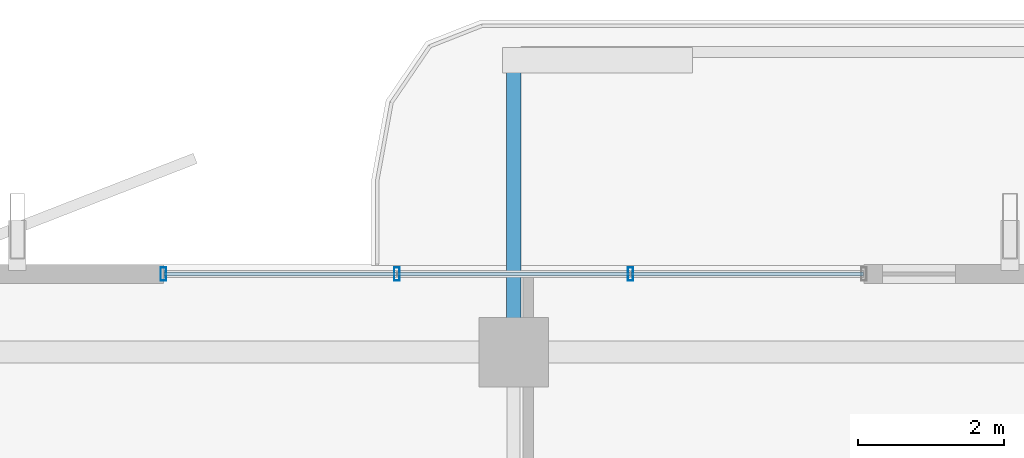
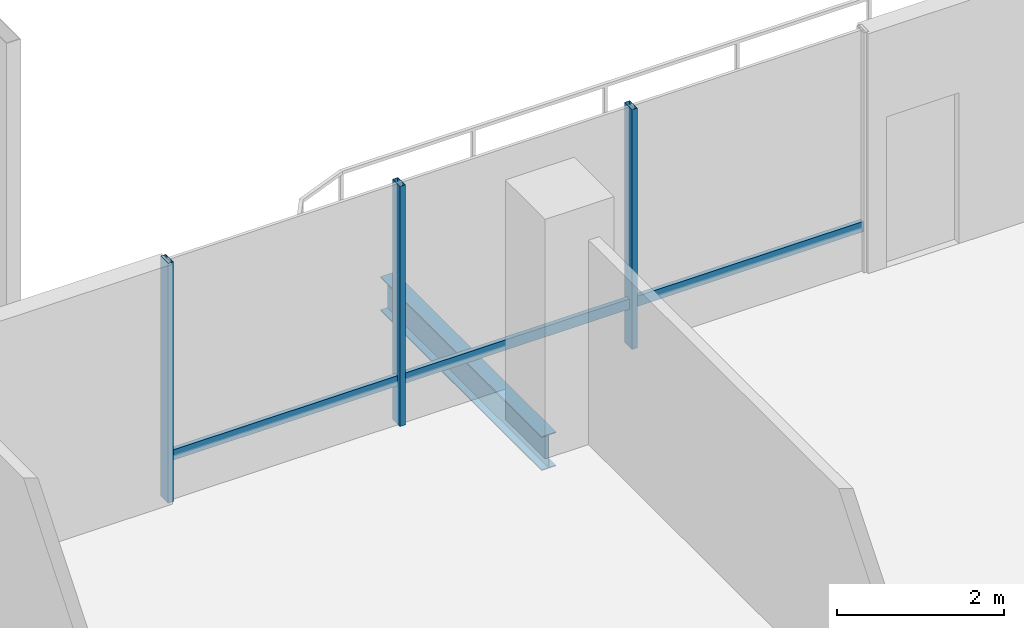
# One storey, part 13 of 25: 6 members, 1 beam, 1 element without a shape of its own.
"""IFC4 building model written with IfcOpenShell, lengths in metres."""

from ifc_helpers import new_model, si_unit, direction, frame, origin, origin_2d, place, context, subcontext, project, spatial, hollow_rectangle, i_section, extrude, material, layer, layer_set, material_profile, profile_set, type_object, element, aggregate, save


model = new_model("IFC4")

# Units and contexts
model_context = context("Model", 3, precision=1e-05, world=origin(), true_north=direction((0.0, 1.0)))
body_context = subcontext(model_context, "Body", "Model", "MODEL_VIEW")
ifc_project = project(units=[si_unit("LENGTHUNIT", "METRE"), si_unit("AREAUNIT", "SQUARE_METRE"), si_unit("VOLUMEUNIT", "CUBIC_METRE"), si_unit("PLANEANGLEUNIT", "RADIAN"), si_unit("MASSUNIT", "GRAM", prefix="KILO")], contexts=[model_context])

# Site, building, storey
site_placement = place(None, origin())
site = spatial("IfcSite", under=ifc_project, at=site_placement, CompositionType="ELEMENT")
building_placement = place(site_placement, origin())
building = spatial("IfcBuilding", under=site, at=building_placement, Name="Belovzor Exchange Tower", CompositionType="ELEMENT")
storey_placement = place(building_placement, frame((0.0, 0.0, 265.35009765625)))
storey = spatial("IfcBuildingStorey", under=building, at=storey_placement, Name="L66", CompositionType="ELEMENT", Elevation=265.35009765625)

# Beam
ifc_material_1 = material(Name="Steel S355", Category="steel")
ifc_material_profile_1 = material_profile(ifc_material_1, i_section(OverallWidth=0.199951171875, OverallDepth=0.5, WebThickness=0.01025390625, FlangeThickness=0.01611328125, at=origin_2d()))
ifc_profile_set_1 = profile_set([ifc_material_profile_1], Name="Steel S355")
beam_type = type_object("IfcBeamType", Name="Planted Balcony Cantilever Beam IPE 500", PredefinedType="BEAM", material=ifc_profile_set_1)
beam_placement = place(storey_placement, frame((28.800048828125, 52.760986328125, -0.5), z_axis=(0.0, 1.0, 0.0), x_axis=(-1.0, 0.0, 0.0)))
element("IfcBeam", 1, at=beam_placement, inside=storey, type_object=beam_type, Name="BC-500 Planted Balcony Cantilever Beam IPE 500", PredefinedType="BEAM", context=body_context, shape_type="SweptSolid", body=[
    extrude(i_section(OverallWidth=0.199951171875, OverallDepth=0.5, WebThickness=0.01025390625, FlangeThickness=0.01611328125, at=origin_2d()), origin(), (0.0, 0.0, 1.0), 3.85009765625),
])

# Curtain wall, members
ifc_material_2 = material(Name="Anodised Aluminium Framing", Category="aluminium")
ifc_layer = layer(ifc_material_2, 0.179931640625)
ifc_layer_set = layer_set([ifc_layer], Name="Anodised Aluminium Framing")
curtain_wall_type = type_object("IfcCurtainWallType", Name="Recessed Loggia Low-Iron Triple-Glazed Curtain Wall", PredefinedType="NOTDEFINED", material=ifc_layer_set)
curtain_wall_placement = place(storey_placement, origin())
curtain_wall = element("IfcCurtainWall", 2, at=curtain_wall_placement, inside=storey, type_object=curtain_wall_type, Name="CW3 Recessed Loggia Low-Iron Triple-Glazed Curtain Wall L66", PredefinedType="NOTDEFINED")
ifc_material_3 = material(Name="Steel S355", Category="steel")
ifc_material_profile_2 = material_profile(ifc_material_3, hollow_rectangle(XDim=0.074951171875, YDim=0.179931640625, WallThickness=0.0048828125, at=origin_2d()))
ifc_profile_set_2 = profile_set([ifc_material_profile_2], Name="Steel S355")
member_type_1 = type_object("IfcMemberType", Name="Thermally Broken Curtain Wall Mullion 180x75", PredefinedType="MULLION", material=ifc_profile_set_2)
member_1_placement = place(storey_placement, frame((24.0, 53.570068359375, 0.0), z_axis=(0.0, 0.0, 1.0), x_axis=(1.0, 0.0, 0.0)))
member_1 = element("IfcMember", 3, at=member_1_placement, type_object=member_type_1, Name="CW-M180 Curtain Wall Mullion 1", PredefinedType="MULLION", context=body_context, shape_type="SweptSolid", body=[
    extrude(hollow_rectangle(XDim=0.074951171875, YDim=0.179931640625, WallThickness=0.0048828125, at=origin_2d()), origin(), (0.0, 0.0, 1.0), 3.5),
])
member_2_placement = place(storey_placement, frame((27.199951171875, 53.570068359375, 0.0), z_axis=(0.0, 0.0, 1.0), x_axis=(1.0, 0.0, 0.0)))
member_2 = element("IfcMember", 4, at=member_2_placement, type_object=member_type_1, Name="CW-M180 Curtain Wall Mullion 2", PredefinedType="MULLION", context=body_context, shape_type="SweptSolid", body=[
    extrude(hollow_rectangle(XDim=0.074951171875, YDim=0.179931640625, WallThickness=0.0048828125, at=origin_2d()), origin(), (0.0, 0.0, 1.0), 3.5),
])
member_3_placement = place(storey_placement, frame((30.39990234375, 53.570068359375, 0.0), z_axis=(0.0, 0.0, 1.0), x_axis=(1.0, 0.0, 0.0)))
member_3 = element("IfcMember", 5, at=member_3_placement, type_object=member_type_1, Name="CW-M180 Curtain Wall Mullion 3", PredefinedType="MULLION", context=body_context, shape_type="SweptSolid", body=[
    extrude(hollow_rectangle(XDim=0.074951171875, YDim=0.179931640625, WallThickness=0.0048828125, at=origin_2d()), origin(), (0.0, 0.0, 1.0), 3.5),
])
ifc_material_4 = material(Name="Steel S355", Category="steel")
ifc_material_profile_3 = material_profile(ifc_material_4, hollow_rectangle(XDim=0.06005859375, YDim=0.14990234375, WallThickness=0.00390625, at=origin_2d()))
ifc_profile_set_3 = profile_set([ifc_material_profile_3], Name="Steel S355")
member_type_2 = type_object("IfcMemberType", Name="Thermally Broken Curtain Wall Transom 150x60", PredefinedType="USERDEFINED", material=ifc_profile_set_3)
member_4_placement = place(storey_placement, frame((24.008056640625, 53.570068359375, 0.6298828125), z_axis=(1.0, 0.0, 0.0), x_axis=(0.0, 1.0, 0.0)))
member_4 = element("IfcMember", 6, at=member_4_placement, type_object=member_type_2, Name="CW-T150 Curtain Wall Transom 1", ObjectType="TRANSOM", PredefinedType="USERDEFINED", context=body_context, shape_type="SweptSolid", body=[
    extrude(hollow_rectangle(XDim=0.06005859375, YDim=0.14990234375, WallThickness=0.00390625, at=origin_2d()), origin(), (0.0, 0.0, 1.0), 3.183837890625),
])
member_5_placement = place(storey_placement, frame((27.2080078125, 53.570068359375, 0.6298828125), z_axis=(1.0, 0.0, 0.0), x_axis=(0.0, 1.0, 0.0)))
member_5 = element("IfcMember", 7, at=member_5_placement, type_object=member_type_2, Name="CW-T150 Curtain Wall Transom 2", ObjectType="TRANSOM", PredefinedType="USERDEFINED", context=body_context, shape_type="SweptSolid", body=[
    extrude(hollow_rectangle(XDim=0.06005859375, YDim=0.14990234375, WallThickness=0.00390625, at=origin_2d()), origin(), (0.0, 0.0, 1.0), 3.18408203125),
])
member_6_placement = place(storey_placement, frame((30.407958984375, 53.570068359375, 0.6298828125), z_axis=(1.0, 0.0, 0.0), x_axis=(0.0, 1.0, 0.0)))
member_6 = element("IfcMember", 8, at=member_6_placement, type_object=member_type_2, Name="CW-T150 Curtain Wall Transom 3", ObjectType="TRANSOM", PredefinedType="USERDEFINED", context=body_context, shape_type="SweptSolid", body=[
    extrude(hollow_rectangle(XDim=0.06005859375, YDim=0.14990234375, WallThickness=0.00390625, at=origin_2d()), origin(), (0.0, 0.0, 1.0), 3.18408203125),
])
aggregate(curtain_wall, [member_1, member_2, member_3, member_4, member_5, member_6])

save(model, "model.ifc")
